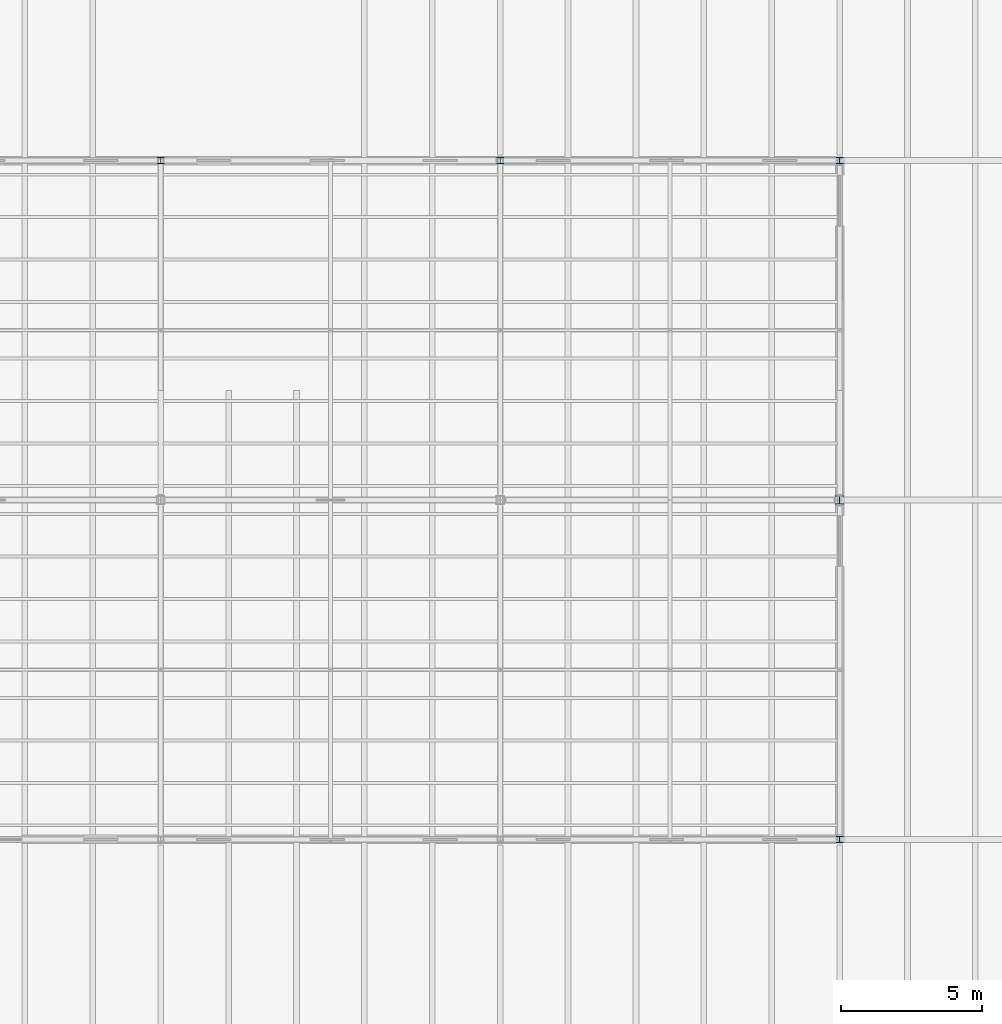
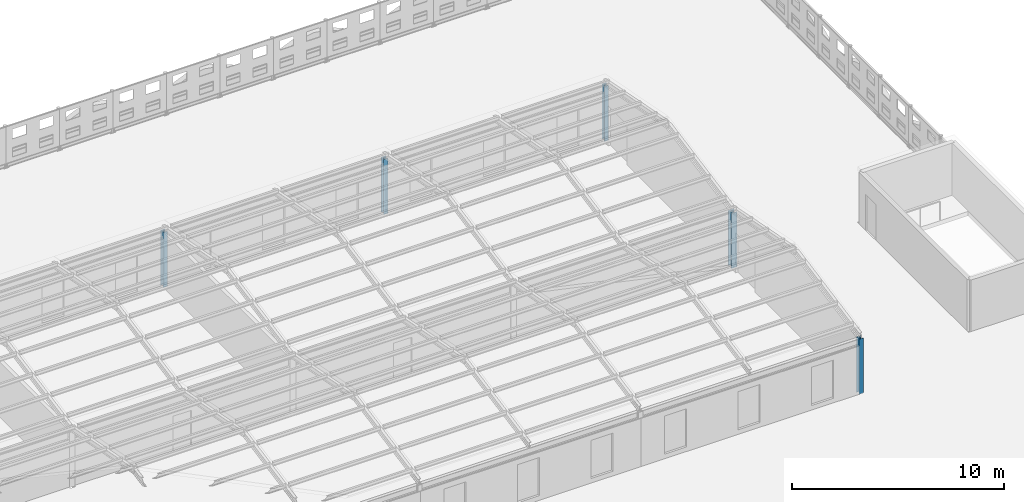
# One storey, part 4 of 91: 5 columns.
"""IFC4 building model written with IfcOpenShell, lengths in metres."""

import ifcopenshell
import ifcopenshell.guid

model = None  # the IFC model being written
_history = None  # IfcOwnerHistory: only IFC2X3 demands one
_inside = {}  # id of a spatial element -> (the spatial element, [elements in it])
_under = {}  # id of a project, library or spatial element -> (it, [spatial elements below it])
_declared = {}  # id of a project -> (the project, [libraries it declares])
_typed = {}  # id of a type object -> (the type object, [elements of that type])
_made_of = {}  # id of a material, layer set ... -> (it, [elements and type objects made of it])


def new_model(schema):
    """Start an empty IFC model of exactly this schema.

    Asked for "IFC4X3", IfcOpenShell would pick the latest addendum, in which some entities
    have other attributes; the version numbers below select the first issue.
    IFC2X3 requires an IfcOwnerHistory on every rooted entity: one is made here for all.
    """
    global model, _history
    if schema == "IFC4X3":
        model = ifcopenshell.file(schema_version=(4, 3, 0, 0))
    else:
        model = ifcopenshell.file(schema=schema)
    _inside.clear()
    _under.clear()
    _declared.clear()
    _typed.clear()
    _made_of.clear()
    _history = None
    if model.schema == "IFC2X3":
        org = make("IfcOrganization", Name="unknown")
        user = make(
            "IfcPersonAndOrganization",
            ThePerson=make("IfcPerson", FamilyName="unknown"),
            TheOrganization=org,
        )
        app = make(
            "IfcApplication",
            ApplicationDeveloper=org,
            Version="unknown",
            ApplicationFullName="unknown",
            ApplicationIdentifier="unknown",
        )
        _history = make(
            "IfcOwnerHistory",
            OwningUser=user,
            OwningApplication=app,
            ChangeAction="ADDED",
            CreationDate=0,
        )
    return model


def make(cls, **values):
    """One entity of the class cls with the attributes given. An attribute that is None is left unset."""
    return model.create_entity(
        cls, **{name: value for name, value in values.items() if value is not None}
    )


def rooted(cls, **values):
    """An entity with a GlobalId (a new one), such as an element, a storey or a relation."""
    return make(cls, GlobalId=ifcopenshell.guid.new(), OwnerHistory=_history, **values)


def si_unit(unit_type, name, prefix=None):
    """IfcSIUnit, for example si_unit("LENGTHUNIT", "METRE", prefix="MILLI")."""
    return make("IfcSIUnit", UnitType=unit_type, Prefix=prefix, Name=name)


def assignment(units):
    """IfcUnitAssignment: the units of a project."""
    return None if units is None else make("IfcUnitAssignment", Units=units)


def point(xyz):
    """IfcCartesianPoint."""
    return None if xyz is None else make("IfcCartesianPoint", Coordinates=xyz)


def direction(xyz):
    """IfcDirection."""
    return None if xyz is None else make("IfcDirection", DirectionRatios=xyz)


def frame(location, z_axis=None, x_axis=None):
    """IfcAxis2Placement3D, a coordinate frame: its origin and axes. An axis left out is left unset."""
    return make(
        "IfcAxis2Placement3D",
        Location=point(location),
        Axis=direction(z_axis),
        RefDirection=direction(x_axis),
    )


def frame_2d(location, x_axis=None):
    """IfcAxis2Placement2D, a coordinate frame in the plane: its origin and x axis."""
    return make(
        "IfcAxis2Placement2D", Location=point(location), RefDirection=direction(x_axis)
    )


def origin():
    """The frame at (0, 0, 0) with its axes left unset."""
    return frame((0.0, 0.0, 0.0))


def origin_2d():
    """The frame at (0, 0) in the plane with its x axis left unset."""
    return frame_2d((0.0, 0.0))


def place(relative_to, where):
    """IfcLocalPlacement: puts the frame where relative to a parent placement (None: the world)."""
    return make(
        "IfcLocalPlacement", PlacementRelTo=relative_to, RelativePlacement=where
    )


def context(
    kind, dimensions, precision=None, world=None, true_north=None, identifier=None
):
    """IfcGeometricRepresentationContext, for example the 3D "Model" context."""
    return make(
        "IfcGeometricRepresentationContext",
        ContextIdentifier=identifier,
        ContextType=kind,
        CoordinateSpaceDimension=dimensions,
        Precision=precision,
        WorldCoordinateSystem=world,
        TrueNorth=true_north,
    )


def subcontext(parent, identifier, kind, view, scale=None):
    """IfcGeometricRepresentationSubContext, for example "Body" below "Model"."""
    return make(
        "IfcGeometricRepresentationSubContext",
        ContextIdentifier=identifier,
        ContextType=kind,
        ParentContext=parent,
        TargetScale=scale,
        TargetView=view,
    )


def project(units=None, contexts=None):
    """IfcProject with its units and contexts."""
    return rooted(
        "IfcProject",
        Name="project",
        RepresentationContexts=contexts,
        UnitsInContext=assignment(units),
    )


def spatial(cls, under=None, at=None, **own):
    """A site, building, storey or space (cls), placed at a placement, below another one or the project."""
    s = rooted(cls, ObjectPlacement=at, **own)
    if under is not None:
        _under.setdefault(under.id(), (under, []))[1].append(s)
    return s


def profile(cls, at=None, kind="AREA", **sizes):
    """A parametric profile (cls). Its sizes go by their IFC names, for example OverallWidth=200.0."""
    return make(cls, ProfileType=kind, Position=at, **sizes)


def i_section(**sizes):
    """IfcIShapeProfileDef."""
    return profile("IfcIShapeProfileDef", **sizes)


def extrude(swept, where, along, depth):
    """IfcExtrudedAreaSolid: the profile swept, set in the frame where, extruded along a direction by depth."""
    return make(
        "IfcExtrudedAreaSolid",
        SweptArea=swept,
        Position=where,
        ExtrudedDirection=direction(along),
        Depth=depth,
    )


def shape(context_of_items, identifier, shape_type, items):
    """IfcShapeRepresentation: the items that make up one representation, for example the "Body"."""
    return make(
        "IfcShapeRepresentation",
        ContextOfItems=context_of_items,
        RepresentationIdentifier=identifier,
        RepresentationType=shape_type,
        Items=items,
    )


def material(Name=None, Category=None):
    """IfcMaterial."""
    return make("IfcMaterial", Name=Name, Category=Category)


def material_profile(
    of_material, cross_section, Name=None, Category=None, Priority=None
):
    """IfcMaterialProfile: a cross section and its material."""
    return make(
        "IfcMaterialProfile",
        Name=Name,
        Material=of_material,
        Profile=cross_section,
        Priority=Priority,
        Category=Category,
    )


def profile_set(profiles, Name=None, composite=None):
    """IfcMaterialProfileSet."""
    return make(
        "IfcMaterialProfileSet",
        Name=Name,
        MaterialProfiles=profiles,
        CompositeProfile=composite,
    )


def made_of(thing, what):
    """Note that an element or type object is made of a material, layer set ...; save() writes the relation."""
    if what is not None:
        _made_of.setdefault(what.id(), (what, []))[1].append(thing)
    return thing


def type_object(cls, material=None, **own):
    """A type object (cls), such as IfcWallType, which elements share."""
    return made_of(rooted(cls, **own), material)


def element(
    cls,
    number,
    at=None,
    inside=None,
    cuts=None,
    type_object=None,
    material=None,
    context=None,
    identifier="Body",
    shape_type=None,
    held_by="IfcProductDefinitionShape",
    body=None,
    shapes=None,
    **own,
):
    """One element of the class cls, such as IfcWall. Its Tag is "e" and its number.

    at: its placement. inside: the storey or other place that contains it. cuts: it is an
    opening in that element (IfcRelVoidsElement). A single representation is given by context,
    identifier, shape_type and body (its items); several are given by shapes. held_by: the class
    of the entity that holds the representations. save() writes the other relations.
    """
    e = rooted(cls, Tag="e%d" % number, ObjectPlacement=at, **own)
    if body is not None:
        shapes = [shape(context, identifier, shape_type, body)]
    if shapes is not None:
        e.Representation = make(held_by, Representations=shapes)
    if inside is not None:
        _inside.setdefault(inside.id(), (inside, []))[1].append(e)
    if cuts is not None:
        rooted(
            "IfcRelVoidsElement", RelatingBuildingElement=cuts, RelatedOpeningElement=e
        )
    if type_object is not None:
        _typed.setdefault(type_object.id(), (type_object, []))[1].append(e)
    return made_of(e, material)


def aggregate(whole, parts):
    """IfcRelAggregates: a whole, such as a stair, and the parts it consists of."""
    return rooted("IfcRelAggregates", RelatingObject=whole, RelatedObjects=parts)


def save(model, path):
    """Write the relations noted so far, then the file.

    IfcRelAggregates (storeys below a building ...), IfcRelContainedInSpatialStructure (elements
    in a storey), IfcRelDefinesByType, IfcRelAssociatesMaterial and IfcRelDeclares: one each for
    every whole, place, type object, material and project.
    """
    for whole, parts in _under.values():
        aggregate(whole, parts)
    for where, things in _inside.values():
        rooted(
            "IfcRelContainedInSpatialStructure",
            RelatedElements=things,
            RelatingStructure=where,
        )
    for kind, things in _typed.values():
        rooted("IfcRelDefinesByType", RelatedObjects=things, RelatingType=kind)
    for what, things in _made_of.values():
        rooted("IfcRelAssociatesMaterial", RelatedObjects=things, RelatingMaterial=what)
    for by, libraries in _declared.values():
        rooted("IfcRelDeclares", RelatingContext=by, RelatedDefinitions=libraries)
    model.write(path)


model = new_model("IFC4")

# Units and contexts
model_context = context("Model", 3, precision=1e-05, world=origin(), true_north=direction((0.0, 1.0)))
body_context = subcontext(model_context, "Body", "Model", "MODEL_VIEW")
ifc_project = project(units=[si_unit("LENGTHUNIT", "METRE"), si_unit("AREAUNIT", "SQUARE_METRE"), si_unit("VOLUMEUNIT", "CUBIC_METRE"), si_unit("PLANEANGLEUNIT", "RADIAN"), si_unit("MASSUNIT", "GRAM", prefix="KILO")], contexts=[model_context])

# Site, building, storey
site_placement = place(None, origin())
site = spatial("IfcSite", under=ifc_project, at=site_placement, CompositionType="ELEMENT")
building_placement = place(site_placement, origin())
building = spatial("IfcBuilding", under=site, at=building_placement, Name="Ravi Spectrum Wholesale Market", CompositionType="ELEMENT")
storey_placement = place(building_placement, frame((0.0, 0.0, 16.199951171875)))
storey = spatial("IfcBuildingStorey", under=building, at=storey_placement, Name="ROOF PLANT LEVEL", CompositionType="ELEMENT", Elevation=16.199951171875)

# Columns
ifc_material_1 = material(Name="Steel S355", Category="steel")
ifc_material_profile_1 = material_profile(ifc_material_1, i_section(OverallWidth=0.239990234375, OverallDepth=0.239990234375, WebThickness=0.010009765625, FlangeThickness=0.01708984375, at=origin_2d()))
ifc_profile_set_1 = profile_set([ifc_material_profile_1], Name="Steel S355")
column_type_1 = type_object("IfcColumnType", Name="HEB 240 column", PredefinedType="COLUMN", material=ifc_profile_set_1)
for number, where, z_axis, x_axis, name in (
    (1, (246.0, 54.0, 0.0), (0.0, 0.0, 1.0), (1.0, 0.0, 0.0), "CS-COL-ROOF-012"),
    (2, (258.0, 54.0, 0.0), (0.0, 0.0, 1.0), (1.0, 0.0, 0.0), "CS-COL-ROOF-015"),
    (3, (270.0, 30.0, 0.0), (0.0, 0.0, 1.0), (1.0, 0.0, 0.0), "CS-COL-ROOF-016"),
    (4, (270.0, 54.0, 0.0), (0.0, 0.0, 1.0), (1.0, 0.0, 0.0), "CS-COL-ROOF-018"),
):
    element("IfcColumn", number, at=place(storey_placement, frame(where, z_axis=z_axis, x_axis=x_axis)), inside=storey, type_object=column_type_1, Name=name, PredefinedType="COLUMN", context=body_context, shape_type="SweptSolid", body=[
        extrude(i_section(OverallWidth=0.239990234375, OverallDepth=0.239990234375, WebThickness=0.010009765625, FlangeThickness=0.01708984375, at=origin_2d()), origin(), (0.0, 0.0, 1.0), 3.172119140625),
    ])
ifc_material_2 = material(Name="Steel S355", Category="steel")
ifc_material_profile_2 = material_profile(ifc_material_2, i_section(OverallWidth=0.300048828125, OverallDepth=0.300048828125, WebThickness=0.010986328125, FlangeThickness=0.01904296875, at=origin_2d()))
ifc_profile_set_2 = profile_set([ifc_material_profile_2], Name="Steel S355")
column_type_2 = type_object("IfcColumnType", Name="HEB 300 column", PredefinedType="COLUMN", material=ifc_profile_set_2)
column_placement = place(storey_placement, frame((270.0, 42.0, 0.0), z_axis=(0.0, 0.0, 1.0), x_axis=(1.0, 0.0, 0.0)))
element("IfcColumn", 5, at=column_placement, inside=storey, type_object=column_type_2, Name="CS-COL-ROOF-017", PredefinedType="COLUMN", context=body_context, shape_type="SweptSolid", body=[
    extrude(i_section(OverallWidth=0.300048828125, OverallDepth=0.300048828125, WebThickness=0.010986328125, FlangeThickness=0.01904296875, at=origin_2d()), origin(), (0.0, 0.0, 1.0), 3.172119140625),
])

save(model, "model.ifc")
